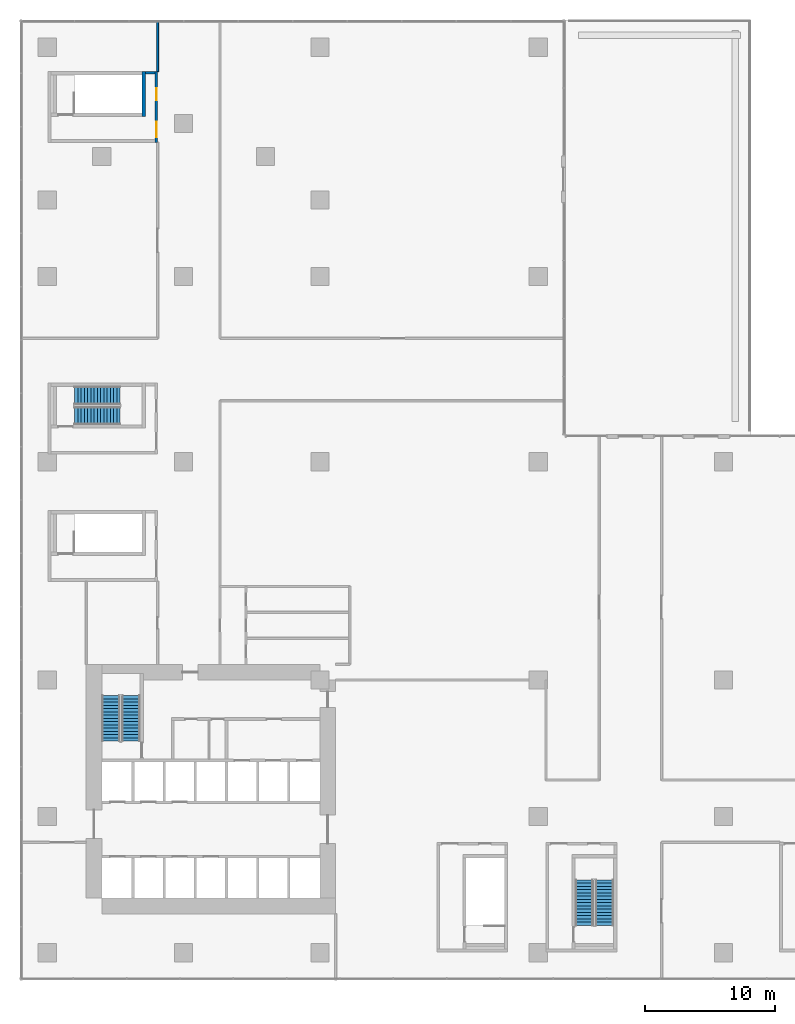
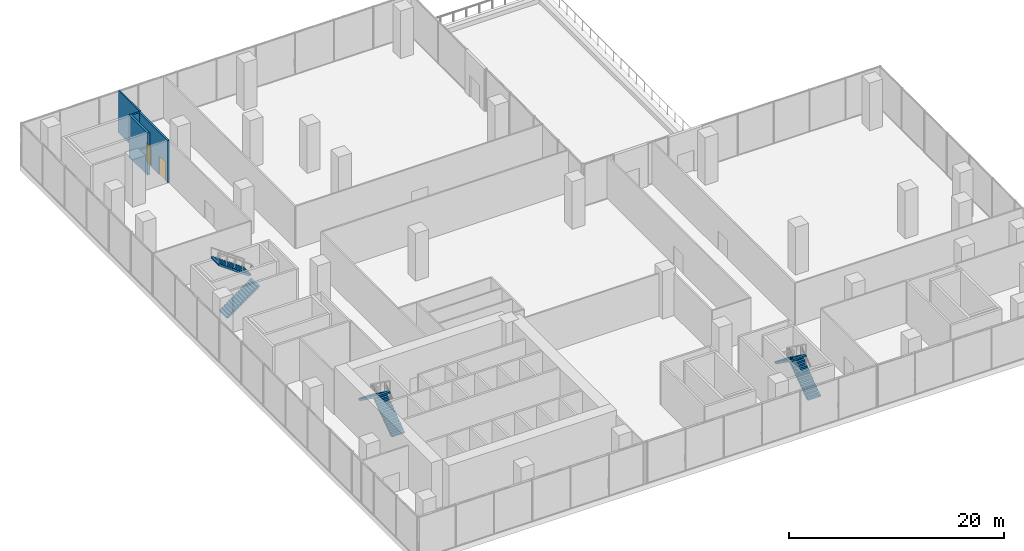
# One storey, part 17 of 21: 6 stair flights, 4 walls, 2 doors, 2 openings, 3 elements without a shape of their own.
"""IFC4 building model written with IfcOpenShell, lengths in metres."""

from ifc_helpers import new_model, si_unit, direction, frame, frame_2d, origin, place, context, subcontext, project, spatial, polyline, rectangle, outline, extrude, source, transform, mapped, material, layer, layer_set, type_object, element, fill, aggregate, save


model = new_model("IFC4")

# Units and contexts
model_context = context("Model", 3, precision=1e-05, world=origin(), true_north=direction((0.0, 1.0)))
body_context = subcontext(model_context, "Body", "Model", "MODEL_VIEW")
ifc_project = project(units=[si_unit("LENGTHUNIT", "METRE"), si_unit("AREAUNIT", "SQUARE_METRE"), si_unit("VOLUMEUNIT", "CUBIC_METRE"), si_unit("PLANEANGLEUNIT", "RADIAN"), si_unit("MASSUNIT", "GRAM", prefix="KILO")], contexts=[model_context])

# Site, building, storey
site_placement = place(None, origin())
site = spatial("IfcSite", under=ifc_project, at=site_placement, CompositionType="ELEMENT")
building_placement = place(site_placement, origin())
building = spatial("IfcBuilding", under=site, at=building_placement, Name="Aurelian Terraces", CompositionType="ELEMENT")
storey_placement = place(building_placement, frame((0.0, 0.0, 29.1)))
storey = spatial("IfcBuildingStorey", under=building, at=storey_placement, Name="L05", CompositionType="ELEMENT", Elevation=29.1)

# Wall
ifc_material_1 = material(Name="Concrete fc' 40 MPa", Category="concrete")
ifc_layer_1 = layer(ifc_material_1, 0.25)
ifc_layer_set_1 = layer_set([ifc_layer_1], Name="Stair enclosure wall 250")
wall_type_1 = type_object("IfcWallType", Name="Stair enclosure wall 250", PredefinedType="SOLIDWALL", material=ifc_layer_set_1)
shared_shape_1 = source(origin(), body_context, "Body", "SweptSolid", [
    extrude(rectangle(XDim=3.45, YDim=0.25, at=frame_2d((1.725, 0.0))), origin(), (0.0, 0.0, 1.0), 4.8),
])
wall_1_placement = place(storey_placement, frame((7.425, 64.4, 0.0), z_axis=(0.0, 0.0, 1.0), x_axis=(0.0, 1.0, 0.0)))
element("IfcWall", 1, at=wall_1_placement, inside=storey, type_object=wall_type_1, Name="L05 core wall ST-S5-N", PredefinedType="SOLIDWALL", context=body_context, shape_type="MappedRepresentation", body=[
    mapped(shared_shape_1, transform((0.0, 0.0, 0.0), scale=1.0)),
])

# Wall, openings, doors
ifc_material_2 = material(Name="Gypsum board on steel studs", Category="steel")
ifc_layer_2 = layer(ifc_material_2, 0.2)
ifc_layer_set_2 = layer_set([ifc_layer_2], Name="Core partition 200")
wall_type_2 = type_object("IfcWallType", Name="Core partition 200", PredefinedType="PARTITIONING", material=ifc_layer_set_2)
shared_shape_2 = source(origin(), body_context, "Body", "SweptSolid", [
    extrude(rectangle(XDim=5.45, YDim=0.2, at=frame_2d((2.725, 0.0))), origin(), (0.0, 0.0, 1.0), 4.8),
])
wall_2_placement = place(storey_placement, frame((8.4, 62.4, 0.0), z_axis=(0.0, 0.0, 1.0), x_axis=(0.0, 1.0, 0.0)))
wall_2 = element("IfcWall", 2, at=wall_2_placement, inside=storey, type_object=wall_type_2, Name="L05 core wall ST-S5-BN", PredefinedType="PARTITIONING", context=body_context, shape_type="MappedRepresentation", body=[
    mapped(shared_shape_2, transform((0.0, 0.0, 0.0), scale=1.0)),
])
shared_shape_3 = source(origin(), body_context, "Body", "SweptSolid", [
    extrude(rectangle(XDim=1.2, YDim=2.1, at=frame_2d((0.6, 1.05))), frame((0.0, 0.11, 0.0), z_axis=(0.0, -1.0, 0.0), x_axis=(1.0, 0.0, 0.0)), (0.0, 0.0, 1.0), 0.22),
])
opening_1_placement = place(wall_2_placement, frame((0.4, 0.0, 0.0)))
opening_1 = element("IfcOpeningElement", 3, at=opening_1_placement, cuts=wall_2, Name="Opening 60824", PredefinedType="OPENING", context=body_context, shape_type="MappedRepresentation", body=[
    mapped(shared_shape_3, transform((0.0, 0.0, 0.0), scale=1.0)),
])
shared_shape_4 = source(origin(), body_context, "Body", "SweptSolid", [
    extrude(rectangle(XDim=0.9, YDim=2.1, at=frame_2d((0.45, 1.05))), frame((0.0, 0.11, 0.0), z_axis=(0.0, -1.0, 0.0), x_axis=(1.0, 0.0, 0.0)), (0.0, 0.0, 1.0), 0.22),
])
opening_2_placement = place(wall_2_placement, frame((3.25, 0.0, 0.0)))
opening_2 = element("IfcOpeningElement", 4, at=opening_2_placement, cuts=wall_2, Name="Opening 60825", PredefinedType="OPENING", context=body_context, shape_type="MappedRepresentation", body=[
    mapped(shared_shape_4, transform((0.0, 0.0, 0.0), scale=1.0)),
])
ifc_material_3 = material(Name="Steel door leaf", Category="steel")
door_type_1 = type_object("IfcDoorType", Name="Core riser door 900x2100 right", OperationType="SINGLE_SWING_RIGHT", PredefinedType="DOOR", material=ifc_material_3)
shared_shape_5 = source(origin(), body_context, "Body", "SweptSolid", [
    extrude(rectangle(XDim=0.9, YDim=2.1, at=frame_2d((0.45, 1.05))), frame((0.0, 0.025, 0.0), z_axis=(0.0, -1.0, 0.0), x_axis=(1.0, 0.0, 0.0)), (0.0, 0.0, 1.0), 0.05),
])
door_1_placement = place(opening_2_placement, origin())
door_1 = element("IfcDoor", 5, at=door_1_placement, inside=storey, type_object=door_type_1, Name="Riser door 60825", OperationType="SINGLE_SWING_RIGHT", OverallHeight=2.1, OverallWidth=0.9, PredefinedType="DOOR", context=body_context, shape_type="MappedRepresentation", body=[
    mapped(shared_shape_5, transform((0.0, 0.0, 0.0), scale=1.0)),
])
fill(opening_2, door_1)
door_type_2 = type_object("IfcDoorType", Name="Core fire door 1200x2100", OperationType="SINGLE_SWING_LEFT", PredefinedType="DOOR", material=ifc_material_3)
shared_shape_6 = source(origin(), body_context, "Body", "SweptSolid", [
    extrude(rectangle(XDim=1.2, YDim=2.1, at=frame_2d((0.6, 1.05))), frame((0.0, 0.025, 0.0), z_axis=(0.0, -1.0, 0.0), x_axis=(1.0, 0.0, 0.0)), (0.0, 0.0, 1.0), 0.05),
])
door_2_placement = place(opening_1_placement, origin())
door_2 = element("IfcDoor", 6, at=door_2_placement, inside=storey, type_object=door_type_2, Name="Vestibule door 60824", OperationType="SINGLE_SWING_LEFT", OverallHeight=2.1, OverallWidth=1.2, PredefinedType="DOOR", context=body_context, shape_type="MappedRepresentation", body=[
    mapped(shared_shape_6, transform((0.0, 0.0, 0.0), scale=1.0)),
])
fill(opening_1, door_2)

# Walls
shared_shape_7 = source(origin(), body_context, "Body", "SweptSolid", [
    extrude(rectangle(XDim=0.75, YDim=0.2, at=frame_2d((0.375, 0.0))), origin(), (0.0, 0.0, 1.0), 4.8),
])
wall_3_placement = place(storey_placement, frame((7.55, 67.75, 0.0), z_axis=(0.0, 0.0, 1.0), x_axis=(1.0, 0.0, 0.0)))
element("IfcWall", 7, at=wall_3_placement, inside=storey, type_object=wall_type_2, Name="L05 core wall ST-S5-RE", PredefinedType="PARTITIONING", context=body_context, shape_type="MappedRepresentation", body=[
    mapped(shared_shape_7, transform((0.0, 0.0, 0.0), scale=1.0)),
])
ifc_layer_3 = layer(ifc_material_2, 0.15)
ifc_layer_set_3 = layer_set([ifc_layer_3], Name="Special partition 150")
wall_type_3 = type_object("IfcWallType", Name="Special partition 150", PredefinedType="PARTITIONING", material=ifc_layer_set_3)
shared_shape_8 = source(origin(), body_context, "Body", "SweptSolid", [
    extrude(rectangle(XDim=3.97, YDim=0.15, at=frame_2d((1.985, 0.0))), origin(), (0.0, 0.0, 1.0), 4.8),
])
wall_4_placement = place(storey_placement, frame((8.5, 67.85, 0.0), z_axis=(0.0, 0.0, 1.0), x_axis=(0.0, 1.0, 0.0)))
element("IfcWall", 8, at=wall_4_placement, inside=storey, type_object=wall_type_3, Name="L05 partition W17", PredefinedType="PARTITIONING", context=body_context, shape_type="MappedRepresentation", body=[
    mapped(shared_shape_8, transform((0.0, 0.0, 0.0), scale=1.0)),
])

# Stair, stair flights
stair_type = type_object("IfcStairType", Name="Stair 1400", PredefinedType="HALF_TURN_STAIR", material=ifc_material_1)
stair_1_placement = place(storey_placement, origin())
stair_1 = element("IfcStair", 9, at=stair_1_placement, inside=storey, type_object=stair_type, Name="L05 S1", PredefinedType="HALF_TURN_STAIR")
stair_flight_type = type_object("IfcStairFlightType", Name="Stair flight 1400", PredefinedType="STRAIGHT", material=ifc_material_1)
shared_shape_9 = source(origin(), body_context, "Body", "SweptSolid", [
    extrude(outline(polyline([(0.0, 0.0), (0.0, 0.18), (0.25, 0.18), (0.25, 0.36), (0.5, 0.36), (0.5, 0.54), (0.75, 0.54), (0.75, 0.72), (1.0, 0.72), (1.0, 0.9), (1.25, 0.9), (1.25, 1.08), (1.5, 1.08), (1.5, 1.26), (1.75, 1.26), (1.75, 1.44), (2.0, 1.44), (2.0, 1.62), (2.25, 1.62), (2.25, 1.8), (2.5, 1.8), (2.5, 1.98), (2.75, 1.98), (2.75, 2.16), (3.0, 2.16), (3.0, 2.34), (3.25, 2.34), (3.25, 2.52), (3.5, 2.52), (3.5, 2.7), (3.5, 2.3352), (0.2567, 0.0), (0.0, 0.0)])), frame((0.0, 0.7, 0.0), z_axis=(0.0, -1.0, 0.0), x_axis=(1.0, 0.0, 0.0)), (0.0, 0.0, 1.0), 1.4),
])
stair_flight_1_placement = place(storey_placement, frame((6.45, 16.3, 2e-08), z_axis=(0.0, 0.0, 1.0), x_axis=(0.0, 1.0, 0.0)))
stair_flight_1 = element("IfcStairFlight", 10, at=stair_flight_1_placement, type_object=stair_flight_type, Name="S1 flight 1", NumberOfRisers=15, NumberOfTreads=14, PredefinedType="STRAIGHT", RiserHeight=0.18, TreadLength=0.25, context=body_context, shape_type="MappedRepresentation", body=[
    mapped(shared_shape_9, transform((0.0, 0.0, 0.0), scale=1.0)),
])
stair_flight_2_placement = place(storey_placement, frame((4.9, 19.8, 2.700000019999999), z_axis=(0.0, 0.0, 1.0), x_axis=(0.0, -1.0, 0.0)))
stair_flight_2 = element("IfcStairFlight", 11, at=stair_flight_2_placement, type_object=stair_flight_type, Name="S1 flight 2", NumberOfRisers=15, NumberOfTreads=14, PredefinedType="STRAIGHT", RiserHeight=0.18, TreadLength=0.25, context=body_context, shape_type="MappedRepresentation", body=[
    mapped(shared_shape_9, transform((0.0, 0.0, 0.0), scale=1.0)),
])
aggregate(stair_1, [stair_flight_1, stair_flight_2])

stair_2_placement = place(storey_placement, origin())
stair_2 = element("IfcStair", 12, at=stair_2_placement, inside=storey, type_object=stair_type, Name="L05 S2", PredefinedType="HALF_TURN_STAIR")
stair_flight_3_placement = place(storey_placement, frame((42.9, 2.1, 2e-08), z_axis=(0.0, 0.0, 1.0), x_axis=(0.0, 1.0, 0.0)))
stair_flight_3 = element("IfcStairFlight", 13, at=stair_flight_3_placement, type_object=stair_flight_type, Name="S2 flight 1", NumberOfRisers=15, NumberOfTreads=14, PredefinedType="STRAIGHT", RiserHeight=0.18, TreadLength=0.25, context=body_context, shape_type="MappedRepresentation", body=[
    mapped(shared_shape_9, transform((0.0, 0.0, 0.0), scale=1.0)),
])
stair_flight_4_placement = place(storey_placement, frame((41.35, 5.6, 2.700000019999999), z_axis=(0.0, 0.0, 1.0), x_axis=(0.0, -1.0, 0.0)))
stair_flight_4 = element("IfcStairFlight", 14, at=stair_flight_4_placement, type_object=stair_flight_type, Name="S2 flight 2", NumberOfRisers=15, NumberOfTreads=14, PredefinedType="STRAIGHT", RiserHeight=0.18, TreadLength=0.25, context=body_context, shape_type="MappedRepresentation", body=[
    mapped(shared_shape_9, transform((0.0, 0.0, 0.0), scale=1.0)),
])
aggregate(stair_2, [stair_flight_3, stair_flight_4])

stair_3_placement = place(storey_placement, origin())
stair_3 = element("IfcStair", 15, at=stair_3_placement, inside=storey, type_object=stair_type, Name="L05 S3", PredefinedType="HALF_TURN_STAIR")
stair_flight_5_placement = place(storey_placement, frame((2.1, 41.35, 2e-08), z_axis=(0.0, 0.0, 1.0), x_axis=(1.0, 0.0, 0.0)))
stair_flight_5 = element("IfcStairFlight", 16, at=stair_flight_5_placement, type_object=stair_flight_type, Name="S3 flight 1", NumberOfRisers=15, NumberOfTreads=14, PredefinedType="STRAIGHT", RiserHeight=0.18, TreadLength=0.25, context=body_context, shape_type="MappedRepresentation", body=[
    mapped(shared_shape_9, transform((0.0, 0.0, 0.0), scale=1.0)),
])
stair_flight_6_placement = place(storey_placement, frame((5.6, 42.9, 2.700000019999999), z_axis=(0.0, 0.0, 1.0), x_axis=(-1.0, 0.0, 0.0)))
stair_flight_6 = element("IfcStairFlight", 17, at=stair_flight_6_placement, type_object=stair_flight_type, Name="S3 flight 2", NumberOfRisers=15, NumberOfTreads=14, PredefinedType="STRAIGHT", RiserHeight=0.18, TreadLength=0.25, context=body_context, shape_type="MappedRepresentation", body=[
    mapped(shared_shape_9, transform((0.0, 0.0, 0.0), scale=1.0)),
])
aggregate(stair_3, [stair_flight_5, stair_flight_6])

save(model, "model.ifc")
